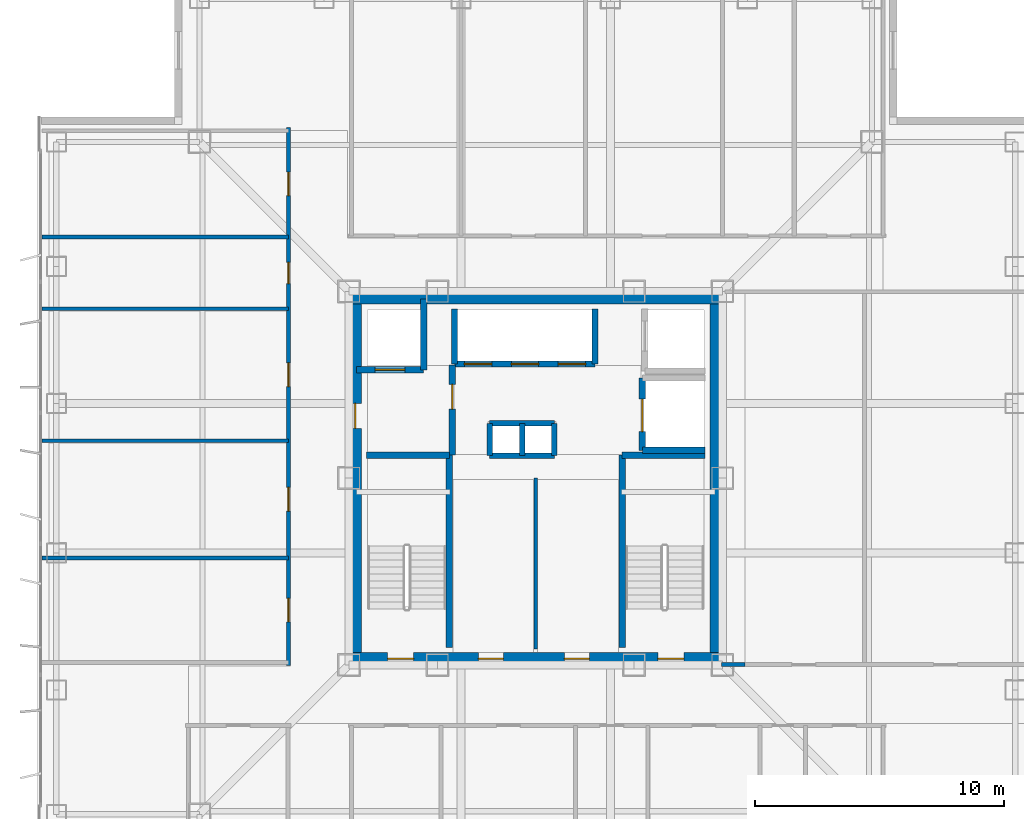
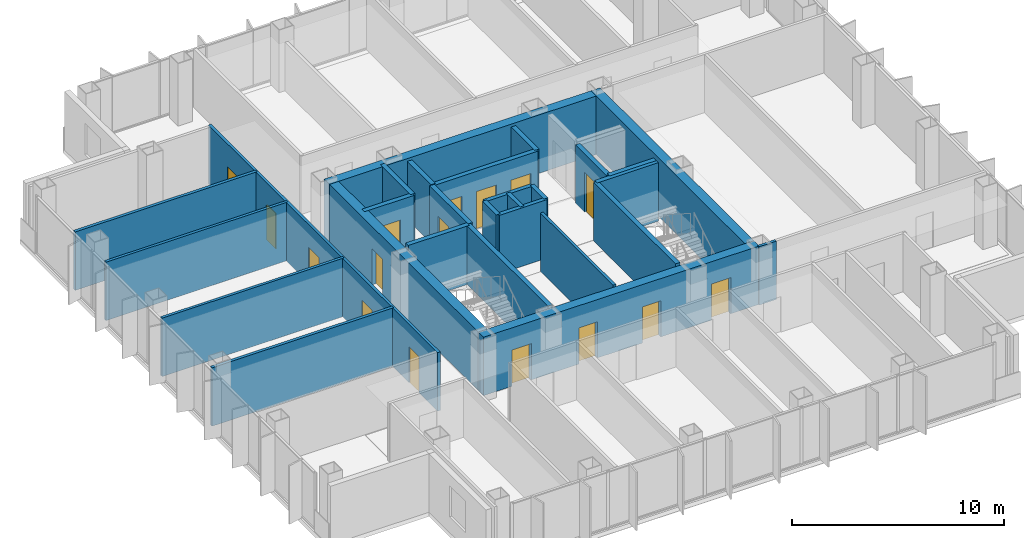
# One storey, part 11 of 18: 28 walls, 16 doors, 16 openings.
"""IFC4 building model written with IfcOpenShell, lengths in metres."""

from ifc_helpers import new_model, si_unit, direction, frame, frame_2d, origin, place, context, subcontext, project, spatial, rectangle, extrude, material, layer, layer_set, type_object, element, fill, save


model = new_model("IFC4")

# Units and contexts
model_context = context("Model", 3, precision=1e-05, world=origin(), true_north=direction((0.0, 1.0)))
body_context = subcontext(model_context, "Body", "Model", "MODEL_VIEW")
ifc_project = project(units=[si_unit("LENGTHUNIT", "METRE"), si_unit("AREAUNIT", "SQUARE_METRE"), si_unit("VOLUMEUNIT", "CUBIC_METRE"), si_unit("PLANEANGLEUNIT", "RADIAN"), si_unit("MASSUNIT", "GRAM", prefix="KILO")], contexts=[model_context])

# Site, building, storey
site_placement = place(None, origin())
site = spatial("IfcSite", under=ifc_project, at=site_placement, CompositionType="ELEMENT")
building_placement = place(site_placement, origin())
building = spatial("IfcBuilding", under=site, at=building_placement, Name="Trevonay Congress Spire", CompositionType="ELEMENT")
storey_placement = place(building_placement, frame((0.0, 0.0, 173.39990234375)))
storey = spatial("IfcBuildingStorey", under=building, at=storey_placement, Name="L44", CompositionType="ELEMENT", Elevation=173.39990234375)

# Wall, openings, doors
ifc_material_1 = material(Name="Concrete C50/60", Category="concrete")
ifc_layer_1 = layer(ifc_material_1, 0.5, Name="Concrete C50/60")
ifc_layer_set_1 = layer_set([ifc_layer_1], Name="Concrete C50/60")
wall_type_1 = type_object("IfcWallType", Name="WAL-CORE-500", PredefinedType="SHEAR", material=ifc_layer_set_1)
wall_1_placement = place(storey_placement, frame((-7.5, -7.25, 0.0), z_axis=(0.0, 0.0, 1.0), x_axis=(1.0, 0.0, 0.0)))
wall_1 = element("IfcWall", 1, at=wall_1_placement, inside=storey, type_object=wall_type_1, Name="L44 South structural core shear wall", PredefinedType="SHEAR", context=body_context, shape_type="SweptSolid", body=[
    extrude(rectangle(XDim=15.0, YDim=0.5, at=frame_2d((7.5, 0.0))), origin(), (0.0, 0.0, 1.0), 3.360107421875),
])
opening_1_placement = place(wall_1_placement, frame((1.550048828125, 0.0, 0.0)))
opening_1 = element("IfcOpeningElement", 2, at=opening_1_placement, cuts=wall_1, Name="Opening D05", PredefinedType="OPENING", context=body_context, shape_type="SweptSolid", body=[
    extrude(rectangle(XDim=1.050048828125, YDim=2.080078125, at=frame_2d((0.52490234375, 1.0400390625))), frame((0.0, 0.260009765625, 0.0), z_axis=(0.0, -1.0, 0.0), x_axis=(1.0, 0.0, 0.0)), (0.0, 0.0, 1.0), 0.52001953125),
])
opening_2_placement = place(wall_1_placement, frame((12.39990234375, 0.0, 0.0)))
opening_2 = element("IfcOpeningElement", 3, at=opening_2_placement, cuts=wall_1, Name="Opening D05", PredefinedType="OPENING", context=body_context, shape_type="SweptSolid", body=[
    extrude(rectangle(XDim=1.050048828125, YDim=2.080078125, at=frame_2d((0.52490234375, 1.0400390625))), frame((0.0, 0.260009765625, 0.0), z_axis=(0.0, -1.0, 0.0), x_axis=(1.0, 0.0, 0.0)), (0.0, 0.0, 1.0), 0.52001953125),
])
opening_3_placement = place(wall_1_placement, frame((5.199951171875, 0.0, 0.0)))
opening_3 = element("IfcOpeningElement", 4, at=opening_3_placement, cuts=wall_1, Name="Opening D06", PredefinedType="OPENING", context=body_context, shape_type="SweptSolid", body=[
    extrude(rectangle(XDim=1.0, YDim=2.080078125, at=frame_2d((0.5, 1.0400390625))), frame((0.0, 0.260009765625, 0.0), z_axis=(0.0, -1.0, 0.0), x_axis=(1.0, 0.0, 0.0)), (0.0, 0.0, 1.0), 0.52001953125),
])
opening_4_placement = place(wall_1_placement, frame((8.64990234375, 0.0, 0.0)))
opening_4 = element("IfcOpeningElement", 5, at=opening_4_placement, cuts=wall_1, Name="Opening D06", PredefinedType="OPENING", context=body_context, shape_type="SweptSolid", body=[
    extrude(rectangle(XDim=1.0, YDim=2.080078125, at=frame_2d((0.5, 1.0400390625))), frame((0.0, 0.260009765625, 0.0), z_axis=(0.0, -1.0, 0.0), x_axis=(1.0, 0.0, 0.0)), (0.0, 0.0, 1.0), 0.52001953125),
])
ifc_material_2 = material(Name="Steel ASTM A572 Grade 50", Category="steel")
door_type_1 = type_object("IfcDoorType", Name="DOR-FIRE-100", OperationType="NOTDEFINED", PredefinedType="DOOR", material=ifc_material_2)
door_1_placement = place(opening_3_placement, origin())
door_1 = element("IfcDoor", 6, at=door_1_placement, inside=storey, type_object=door_type_1, Name="L44 South Core Room 1 Door", OperationType="SINGLE_SWING_LEFT", OverallHeight=2.080078125, OverallWidth=1.0, PredefinedType="DOOR", context=body_context, shape_type="SweptSolid", body=[
    extrude(rectangle(XDim=1.0, YDim=2.080078125, at=frame_2d((0.5, 1.0400390625))), frame((0.0, 0.02490234375, 0.0), z_axis=(0.0, -1.0, 0.0), x_axis=(1.0, 0.0, 0.0)), (0.0, 0.0, 1.0), 0.050048828125),
])
fill(opening_3, door_1)
door_2_placement = place(opening_4_placement, origin())
door_2 = element("IfcDoor", 7, at=door_2_placement, inside=storey, type_object=door_type_1, Name="L44 South Core Room 2 Door", OperationType="SINGLE_SWING_RIGHT", OverallHeight=2.080078125, OverallWidth=1.0, PredefinedType="DOOR", context=body_context, shape_type="SweptSolid", body=[
    extrude(rectangle(XDim=1.0, YDim=2.080078125, at=frame_2d((0.5, 1.0400390625))), frame((0.0, 0.02490234375, 0.0), z_axis=(0.0, -1.0, 0.0), x_axis=(1.0, 0.0, 0.0)), (0.0, 0.0, 1.0), 0.050048828125),
])
fill(opening_4, door_2)
door_type_2 = type_object("IfcDoorType", Name="DOR-STAIR-110", OperationType="NOTDEFINED", PredefinedType="DOOR", material=ifc_material_2)
door_3_placement = place(opening_1_placement, origin())
door_3 = element("IfcDoor", 8, at=door_3_placement, inside=storey, type_object=door_type_2, Name="L44 Protected Stair ST-1 Door", OperationType="SINGLE_SWING_RIGHT", OverallHeight=2.080078125, OverallWidth=1.050048828125, PredefinedType="DOOR", context=body_context, shape_type="SweptSolid", body=[
    extrude(rectangle(XDim=1.050048828125, YDim=2.080078125, at=frame_2d((0.52490234375, 1.0400390625))), frame((0.0, 0.02490234375, 0.0), z_axis=(0.0, -1.0, 0.0), x_axis=(1.0, 0.0, 0.0)), (0.0, 0.0, 1.0), 0.050048828125),
])
fill(opening_1, door_3)
door_4_placement = place(opening_2_placement, origin())
door_4 = element("IfcDoor", 9, at=door_4_placement, inside=storey, type_object=door_type_2, Name="L44 Protected Stair ST-2 Door", OperationType="SINGLE_SWING_LEFT", OverallHeight=2.080078125, OverallWidth=1.050048828125, PredefinedType="DOOR", context=body_context, shape_type="SweptSolid", body=[
    extrude(rectangle(XDim=1.050048828125, YDim=2.080078125, at=frame_2d((0.52490234375, 1.0400390625))), frame((0.0, 0.02490234375, 0.0), z_axis=(0.0, -1.0, 0.0), x_axis=(1.0, 0.0, 0.0)), (0.0, 0.0, 1.0), 0.050048828125),
])
fill(opening_2, door_4)

# Wall
wall_2_placement = place(storey_placement, frame((-7.5, 7.25, 0.0), z_axis=(0.0, 0.0, 1.0), x_axis=(1.0, 0.0, 0.0)))
element("IfcWall", 10, at=wall_2_placement, inside=storey, type_object=wall_type_1, Name="L44 North structural core shear wall", PredefinedType="SHEAR", context=body_context, shape_type="SweptSolid", body=[
    extrude(rectangle(XDim=15.0, YDim=0.5, at=frame_2d((7.5, 0.0))), origin(), (0.0, 0.0, 1.0), 3.360107421875),
])

# Wall, opening, door
wall_3_placement = place(storey_placement, frame((-7.25, -7.5, 0.0), z_axis=(0.0, 0.0, 1.0), x_axis=(0.0, 1.0, 0.0)))
wall_3 = element("IfcWall", 11, at=wall_3_placement, inside=storey, type_object=wall_type_1, Name="L44 West structural core shear wall", PredefinedType="SHEAR", context=body_context, shape_type="SweptSolid", body=[
    extrude(rectangle(XDim=15.0, YDim=0.5, at=frame_2d((7.5, 0.0))), origin(), (0.0, 0.0, 1.0), 3.360107421875),
])
opening_5_placement = place(wall_3_placement, frame((9.5, 0.0, 0.0)))
opening_5 = element("IfcOpeningElement", 12, at=opening_5_placement, cuts=wall_3, Name="Opening D06", PredefinedType="OPENING", context=body_context, shape_type="SweptSolid", body=[
    extrude(rectangle(XDim=1.0, YDim=2.080078125, at=frame_2d((0.5, 1.0400390625))), frame((0.0, 0.260009765625, 0.0), z_axis=(0.0, -1.0, 0.0), x_axis=(1.0, 0.0, 0.0)), (0.0, 0.0, 1.0), 0.52001953125),
])
door_5_placement = place(opening_5_placement, origin())
door_5 = element("IfcDoor", 13, at=door_5_placement, inside=storey, type_object=door_type_1, Name="L44 Firefighting Lift Lobby West Corridor Door", OperationType="SINGLE_SWING_RIGHT", OverallHeight=2.080078125, OverallWidth=1.0, PredefinedType="DOOR", context=body_context, shape_type="SweptSolid", body=[
    extrude(rectangle(XDim=1.0, YDim=2.080078125, at=frame_2d((0.5, 1.0400390625))), frame((0.0, 0.02490234375, 0.0), z_axis=(0.0, -1.0, 0.0), x_axis=(1.0, 0.0, 0.0)), (0.0, 0.0, 1.0), 0.050048828125),
])
fill(opening_5, door_5)

# Wall
wall_4_placement = place(storey_placement, frame((7.25, -7.5, 0.0), z_axis=(0.0, 0.0, 1.0), x_axis=(0.0, 1.0, 0.0)))
element("IfcWall", 14, at=wall_4_placement, inside=storey, type_object=wall_type_1, Name="L44 East structural core shear wall", PredefinedType="SHEAR", context=body_context, shape_type="SweptSolid", body=[
    extrude(rectangle(XDim=15.0, YDim=0.5, at=frame_2d((7.5, 0.0))), origin(), (0.0, 0.0, 1.0), 3.360107421875),
])

# Wall, openings, doors
ifc_material_3 = material(Name="Concrete C40/50", Category="concrete")
ifc_layer_2 = layer(ifc_material_3, 0.14990234375, Name="Concrete C40/50")
ifc_layer_set_2 = layer_set([ifc_layer_2], Name="Concrete C40/50")
wall_type_2 = type_object("IfcWallType", Name="WAL-CORR-150", PredefinedType="PARTITIONING", material=ifc_layer_set_2)
wall_5_placement = place(storey_placement, frame((-9.929931640625, -7.52001953125, 0.0), z_axis=(0.0, 0.0, 1.0), x_axis=(0.0, 1.0, 0.0)))
wall_5 = element("IfcWall", 15, at=wall_5_placement, inside=storey, type_object=wall_type_2, Name="L44 interior wall WP-L44NW-COR", PredefinedType="PARTITIONING", context=body_context, shape_type="SweptSolid", body=[
    extrude(rectangle(XDim=21.590087890625, YDim=0.14990234375, at=frame_2d((10.794921875, 0.0))), origin(), (0.0, 0.0, 1.0), 3.360107421875),
])
opening_6_placement = place(wall_5_placement, frame((1.7451171875, 0.0, 0.0)))
opening_6 = element("IfcOpeningElement", 16, at=opening_6_placement, cuts=wall_5, Name="Opening D07", PredefinedType="OPENING", context=body_context, shape_type="SweptSolid", body=[
    extrude(rectangle(XDim=0.949951171875, YDim=2.06005859375, at=frame_2d((0.47509765625, 1.030029296875))), frame((0.0, 0.0849609375, 0.0), z_axis=(0.0, -1.0, 0.0), x_axis=(1.0, 0.0, 0.0)), (0.0, 0.0, 1.0), 0.169921875),
])
opening_7_placement = place(wall_5_placement, frame((6.195068359375, 0.0, 0.0)))
opening_7 = element("IfcOpeningElement", 17, at=opening_7_placement, cuts=wall_5, Name="Opening D07", PredefinedType="OPENING", context=body_context, shape_type="SweptSolid", body=[
    extrude(rectangle(XDim=0.949951171875, YDim=2.06005859375, at=frame_2d((0.47509765625, 1.030029296875))), frame((0.0, 0.0849609375, 0.0), z_axis=(0.0, -1.0, 0.0), x_axis=(1.0, 0.0, 0.0)), (0.0, 0.0, 1.0), 0.169921875),
])
opening_8_placement = place(wall_5_placement, frame((11.195068359375, 0.0, 0.0)))
opening_8 = element("IfcOpeningElement", 18, at=opening_8_placement, cuts=wall_5, Name="Opening D07", PredefinedType="OPENING", context=body_context, shape_type="SweptSolid", body=[
    extrude(rectangle(XDim=0.949951171875, YDim=2.06005859375, at=frame_2d((0.47509765625, 1.030029296875))), frame((0.0, 0.0849609375, 0.0), z_axis=(0.0, -1.0, 0.0), x_axis=(1.0, 0.0, 0.0)), (0.0, 0.0, 1.0), 0.169921875),
])
opening_9_placement = place(wall_5_placement, frame((15.3349609375, 0.0, 0.0)))
opening_9 = element("IfcOpeningElement", 19, at=opening_9_placement, cuts=wall_5, Name="Opening D10", PredefinedType="OPENING", context=body_context, shape_type="SweptSolid", body=[
    extrude(rectangle(XDim=0.85009765625, YDim=2.050048828125, at=frame_2d((0.425048828125, 1.02490234375))), frame((0.0, 0.0849609375, 0.0), z_axis=(0.0, -1.0, 0.0), x_axis=(1.0, 0.0, 0.0)), (0.0, 0.0, 1.0), 0.169921875),
])
opening_10_placement = place(wall_5_placement, frame((18.860107421875, 0.0, 0.0)))
opening_10 = element("IfcOpeningElement", 20, at=opening_10_placement, cuts=wall_5, Name="Opening D07", PredefinedType="OPENING", context=body_context, shape_type="SweptSolid", body=[
    extrude(rectangle(XDim=0.949951171875, YDim=2.06005859375, at=frame_2d((0.47509765625, 1.030029296875))), frame((0.0, 0.0849609375, 0.0), z_axis=(0.0, -1.0, 0.0), x_axis=(1.0, 0.0, 0.0)), (0.0, 0.0, 1.0), 0.169921875),
])
ifc_material_4 = material(Name="Pale Anodised Aluminium EN AW-6063-T6", Category="aluminium")
door_type_3 = type_object("IfcDoorType", Name="DOR-OFFICE-95", OperationType="NOTDEFINED", PredefinedType="DOOR", material=ifc_material_4)
door_6_placement = place(opening_6_placement, origin())
door_6 = element("IfcDoor", 21, at=door_6_placement, inside=storey, type_object=door_type_3, Name="L44 Charterparty Office 5 Door", OperationType="SINGLE_SWING_LEFT", OverallHeight=2.06005859375, OverallWidth=0.949951171875, PredefinedType="DOOR", context=body_context, shape_type="SweptSolid", body=[
    extrude(rectangle(XDim=0.949951171875, YDim=2.06005859375, at=frame_2d((0.47509765625, 1.030029296875))), frame((0.0, 0.02490234375, 0.0), z_axis=(0.0, -1.0, 0.0), x_axis=(1.0, 0.0, 0.0)), (0.0, 0.0, 1.0), 0.050048828125),
])
fill(opening_6, door_6)
door_7_placement = place(opening_7_placement, origin())
door_7 = element("IfcDoor", 22, at=door_7_placement, inside=storey, type_object=door_type_3, Name="L44 Claims Office 6 Door", OperationType="SINGLE_SWING_RIGHT", OverallHeight=2.06005859375, OverallWidth=0.949951171875, PredefinedType="DOOR", context=body_context, shape_type="SweptSolid", body=[
    extrude(rectangle(XDim=0.949951171875, YDim=2.06005859375, at=frame_2d((0.47509765625, 1.030029296875))), frame((0.0, 0.02490234375, 0.0), z_axis=(0.0, -1.0, 0.0), x_axis=(1.0, 0.0, 0.0)), (0.0, 0.0, 1.0), 0.050048828125),
])
fill(opening_7, door_7)
door_8_placement = place(opening_8_placement, origin())
door_8 = element("IfcDoor", 23, at=door_8_placement, inside=storey, type_object=door_type_3, Name="L44 Registry Office 7 Door", OperationType="SINGLE_SWING_LEFT", OverallHeight=2.06005859375, OverallWidth=0.949951171875, PredefinedType="DOOR", context=body_context, shape_type="SweptSolid", body=[
    extrude(rectangle(XDim=0.949951171875, YDim=2.06005859375, at=frame_2d((0.47509765625, 1.030029296875))), frame((0.0, 0.02490234375, 0.0), z_axis=(0.0, -1.0, 0.0), x_axis=(1.0, 0.0, 0.0)), (0.0, 0.0, 1.0), 0.050048828125),
])
fill(opening_8, door_8)
door_9_placement = place(opening_10_placement, origin())
door_9 = element("IfcDoor", 24, at=door_9_placement, inside=storey, type_object=door_type_3, Name="L44 Floor Supplies and Copy Room Door", OperationType="SINGLE_SWING_LEFT", OverallHeight=2.06005859375, OverallWidth=0.949951171875, PredefinedType="DOOR", context=body_context, shape_type="SweptSolid", body=[
    extrude(rectangle(XDim=0.949951171875, YDim=2.06005859375, at=frame_2d((0.47509765625, 1.030029296875))), frame((0.0, 0.02490234375, 0.0), z_axis=(0.0, -1.0, 0.0), x_axis=(1.0, 0.0, 0.0)), (0.0, 0.0, 1.0), 0.050048828125),
])
fill(opening_10, door_9)
door_type_4 = type_object("IfcDoorType", Name="DOR-WC-85", OperationType="NOTDEFINED", PredefinedType="DOOR", material=ifc_material_4)
door_10_placement = place(opening_9_placement, origin())
door_10 = element("IfcDoor", 25, at=door_10_placement, inside=storey, type_object=door_type_4, Name="L44 Male Restroom WC Door", OperationType="SINGLE_SWING_RIGHT", OverallHeight=2.050048828125, OverallWidth=0.85009765625, PredefinedType="DOOR", context=body_context, shape_type="SweptSolid", body=[
    extrude(rectangle(XDim=0.85009765625, YDim=2.050048828125, at=frame_2d((0.425048828125, 1.02490234375))), frame((0.0, 0.02490234375, 0.0), z_axis=(0.0, -1.0, 0.0), x_axis=(1.0, 0.0, 0.0)), (0.0, 0.0, 1.0), 0.050048828125),
])
fill(opening_9, door_10)

# Walls
wall_6_placement = place(storey_placement, frame((7.449951171875, -7.47998046875, 0.0), z_axis=(0.0, 0.0, 1.0), x_axis=(1.0, 0.0, 0.0)))
element("IfcWall", 26, at=wall_6_placement, inside=storey, type_object=wall_type_2, Name="L44 interior wall WP-L44E-STUB", PredefinedType="PARTITIONING", context=body_context, shape_type="SweptSolid", body=[
    extrude(rectangle(XDim=0.949951171875, YDim=0.14990234375, at=frame_2d((0.47509765625, 0.0))), origin(), (0.0, 0.0, 1.0), 3.360107421875),
])
ifc_layer_3 = layer(ifc_material_3, 0.14990234375, Name="Concrete C40/50")
ifc_layer_set_3 = layer_set([ifc_layer_3], Name="Concrete C40/50")
wall_type_3 = type_object("IfcWallType", Name="WAL-PART-150", PredefinedType="PARTITIONING", material=ifc_layer_set_3)
wall_7_placement = place(storey_placement, frame((0.0, -6.85009765625, 0.0), z_axis=(0.0, 0.0, 1.0), x_axis=(0.0, 1.0, 0.0)))
element("IfcWall", 27, at=wall_7_placement, inside=storey, type_object=wall_type_3, Name="L44 interior wall CW-F0-L44", PredefinedType="PARTITIONING", context=body_context, shape_type="SweptSolid", body=[
    extrude(rectangle(XDim=6.85009765625, YDim=0.14990234375, at=frame_2d((3.425048828125, 0.0))), origin(), (0.0, 0.0, 1.0), 3.360107421875),
])
for number, where, z_axis, x_axis, name in (
    (28, (-19.820068359375, 1.5, 0.0), (0.0, 0.0, 1.0), (1.0, 0.0, 0.0), "L44 interior wall WP-L44NW-DIV3"),
    (29, (-19.820068359375, 6.800048828125, 0.0), (0.0, 0.0, 1.0), (1.0, 0.0, 0.0), "L44 interior wall WP-L44NW-DIV4"),
):
    element("IfcWall", number, at=place(storey_placement, frame(where, z_axis=z_axis, x_axis=x_axis)), inside=storey, type_object=wall_type_3, Name=name, PredefinedType="PARTITIONING", context=body_context, shape_type="SweptSolid", body=[
        extrude(rectangle(XDim=9.89013671875, YDim=0.14990234375, at=frame_2d((4.945068359375, 0.0))), origin(), (0.0, 0.0, 1.0), 3.360107421875),
    ])
ifc_layer_4 = layer(ifc_material_3, 0.219970703125, Name="Concrete C40/50")
ifc_layer_set_4 = layer_set([ifc_layer_4], Name="Concrete C40/50")
wall_type_4 = type_object("IfcWallType", Name="WAL-SHAFT-220", PredefinedType="PARTITIONING", material=ifc_layer_set_4)
for number, where, z_axis, x_axis, name in (
    (30, (-1.85009765625, 2.199951171875, 0.0), (0.0, 0.0, 1.0), (1.0, 0.0, 0.0), "L44 interior shaft wall WSH-L44-RSR-N"),
    (31, (-1.85009765625, 0.89990234375, 0.0), (0.0, 0.0, 1.0), (1.0, 0.0, 0.0), "L44 interior shaft wall WSH-L44-RSR-S"),
):
    element("IfcWall", number, at=place(storey_placement, frame(where, z_axis=z_axis, x_axis=x_axis)), inside=storey, type_object=wall_type_4, Name=name, PredefinedType="PARTITIONING", context=body_context, shape_type="SweptSolid", body=[
        extrude(rectangle(XDim=2.60009765625, YDim=0.219970703125, at=frame_2d((1.300048828125, 0.0))), origin(), (0.0, 0.0, 1.0), 3.360107421875),
    ])
for number, where, z_axis, x_axis, name in (
    (32, (-0.550048828125, 0.89990234375, 0.0), (0.0, 0.0, 1.0), (0.0, 1.0, 0.0), "L44 interior shaft wall WSH-L44-RSR-M"),
    (33, (0.75, 0.89990234375, 0.0), (0.0, 0.0, 1.0), (0.0, 1.0, 0.0), "L44 interior shaft wall WSH-L44-RSR-E"),
    (34, (-1.85009765625, 0.89990234375, 0.0), (0.0, 0.0, 1.0), (0.0, 1.0, 0.0), "L44 interior shaft wall WSH-L44-RSR-W"),
):
    element("IfcWall", number, at=place(storey_placement, frame(where, z_axis=z_axis, x_axis=x_axis)), inside=storey, type_object=wall_type_4, Name=name, PredefinedType="PARTITIONING", context=body_context, shape_type="SweptSolid", body=[
        extrude(rectangle(XDim=1.300048828125, YDim=0.219970703125, at=frame_2d((0.64990234375, 0.0))), origin(), (0.0, 0.0, 1.0), 3.360107421875),
    ])

# Wall, openings, doors
ifc_layer_5 = layer(ifc_material_3, 0.25, Name="Concrete C40/50")
ifc_layer_set_5 = layer_set([ifc_layer_5], Name="Concrete C40/50")
wall_type_5 = type_object("IfcWallType", Name="WAL-SHAFT-250", PredefinedType="SHEAR", material=ifc_layer_set_5)
wall_8_placement = place(storey_placement, frame((-3.260009765625, 4.580078125, 0.0), z_axis=(0.0, 0.0, 1.0), x_axis=(1.0, 0.0, 0.0)))
wall_8 = element("IfcWall", 35, at=wall_8_placement, inside=storey, type_object=wall_type_5, Name="L44 interior shaft wall WSH-L44-B3-S", PredefinedType="SHEAR", context=body_context, shape_type="SweptSolid", body=[
    extrude(rectangle(XDim=5.639892578125, YDim=0.25, at=frame_2d((2.81982421875, 0.0))), origin(), (0.0, 0.0, 1.0), 3.360107421875),
])
opening_11_placement = place(wall_8_placement, frame((0.39990234375, 0.0, 0.0)))
opening_11 = element("IfcOpeningElement", 36, at=opening_11_placement, cuts=wall_8, Name="Opening LD03", PredefinedType="OPENING", context=body_context, shape_type="SweptSolid", body=[
    extrude(rectangle(XDim=1.10009765625, YDim=2.199951171875, at=frame_2d((0.550048828125, 1.10009765625))), frame((0.0, 0.135009765625, 0.0), z_axis=(0.0, -1.0, 0.0), x_axis=(1.0, 0.0, 0.0)), (0.0, 0.0, 1.0), 0.27001953125),
])
opening_12_placement = place(wall_8_placement, frame((2.280029296875, 0.0, 0.0)))
opening_12 = element("IfcOpeningElement", 37, at=opening_12_placement, cuts=wall_8, Name="Opening LD03", PredefinedType="OPENING", context=body_context, shape_type="SweptSolid", body=[
    extrude(rectangle(XDim=1.10009765625, YDim=2.199951171875, at=frame_2d((0.550048828125, 1.10009765625))), frame((0.0, 0.135009765625, 0.0), z_axis=(0.0, -1.0, 0.0), x_axis=(1.0, 0.0, 0.0)), (0.0, 0.0, 1.0), 0.27001953125),
])
opening_13_placement = place(wall_8_placement, frame((4.159912109375, 0.0, 0.0)))
opening_13 = element("IfcOpeningElement", 38, at=opening_13_placement, cuts=wall_8, Name="Opening LD03", PredefinedType="OPENING", context=body_context, shape_type="SweptSolid", body=[
    extrude(rectangle(XDim=1.10009765625, YDim=2.199951171875, at=frame_2d((0.550048828125, 1.10009765625))), frame((0.0, 0.135009765625, 0.0), z_axis=(0.0, -1.0, 0.0), x_axis=(1.0, 0.0, 0.0)), (0.0, 0.0, 1.0), 0.27001953125),
])
door_type_5 = type_object("IfcDoorType", Name="DOR-LIFT-LD03", OperationType="DOUBLE_DOOR_SLIDING", PredefinedType="DOOR", material=ifc_material_4)
door_11_placement = place(opening_11_placement, origin())
door_11 = element("IfcDoor", 39, at=door_11_placement, inside=storey, type_object=door_type_5, Name="L44 Passenger lift PL-07 landing door", OperationType="DOUBLE_DOOR_SLIDING", OverallHeight=2.199951171875, OverallWidth=1.10009765625, PredefinedType="DOOR", context=body_context, shape_type="SweptSolid", body=[
    extrude(rectangle(XDim=1.10009765625, YDim=2.199951171875, at=frame_2d((0.550048828125, 1.10009765625))), frame((0.0, 0.02490234375, 0.0), z_axis=(0.0, -1.0, 0.0), x_axis=(1.0, 0.0, 0.0)), (0.0, 0.0, 1.0), 0.050048828125),
])
fill(opening_11, door_11)
door_12_placement = place(opening_12_placement, origin())
door_12 = element("IfcDoor", 40, at=door_12_placement, inside=storey, type_object=door_type_5, Name="L44 Passenger lift PL-08 landing door", OperationType="DOUBLE_DOOR_SLIDING", OverallHeight=2.199951171875, OverallWidth=1.10009765625, PredefinedType="DOOR", context=body_context, shape_type="SweptSolid", body=[
    extrude(rectangle(XDim=1.10009765625, YDim=2.199951171875, at=frame_2d((0.550048828125, 1.10009765625))), frame((0.0, 0.02490234375, 0.0), z_axis=(0.0, -1.0, 0.0), x_axis=(1.0, 0.0, 0.0)), (0.0, 0.0, 1.0), 0.050048828125),
])
fill(opening_12, door_12)
door_13_placement = place(opening_13_placement, origin())
door_13 = element("IfcDoor", 41, at=door_13_placement, inside=storey, type_object=door_type_5, Name="L44 Passenger lift PL-09 landing door", OperationType="DOUBLE_DOOR_SLIDING", OverallHeight=2.199951171875, OverallWidth=1.10009765625, PredefinedType="DOOR", context=body_context, shape_type="SweptSolid", body=[
    extrude(rectangle(XDim=1.10009765625, YDim=2.199951171875, at=frame_2d((0.550048828125, 1.10009765625))), frame((0.0, 0.02490234375, 0.0), z_axis=(0.0, -1.0, 0.0), x_axis=(1.0, 0.0, 0.0)), (0.0, 0.0, 1.0), 0.050048828125),
])
fill(opening_13, door_13)

# Walls
for number, where, z_axis, x_axis, name in (
    (42, (-3.260009765625, 4.580078125, 0.0), (0.0, 0.0, 1.0), (0.0, 1.0, 0.0), "L44 interior shaft wall WSH-L44-B3-W"),
    (43, (2.3798828125, 4.580078125, 0.0), (0.0, 0.0, 1.0), (0.0, 1.0, 0.0), "L44 interior shaft wall WSH-L44-B3-E"),
):
    element("IfcWall", number, at=place(storey_placement, frame(where, z_axis=z_axis, x_axis=x_axis)), inside=storey, type_object=wall_type_5, Name=name, PredefinedType="SHEAR", context=body_context, shape_type="SweptSolid", body=[
        extrude(rectangle(XDim=2.219970703125, YDim=0.25, at=frame_2d((1.10986328125, 0.0))), origin(), (0.0, 0.0, 1.0), 3.360107421875),
    ])

# Wall, opening, door
wall_9_placement = place(storey_placement, frame((-7.199951171875, 4.35009765625, 0.0), z_axis=(0.0, 0.0, 1.0), x_axis=(1.0, 0.0, 0.0)))
wall_9 = element("IfcWall", 44, at=wall_9_placement, inside=storey, type_object=wall_type_5, Name="L44 interior shaft wall WSH-L44-FF1-S", PredefinedType="SHEAR", context=body_context, shape_type="SweptSolid", body=[
    extrude(rectangle(XDim=2.699951171875, YDim=0.25, at=frame_2d((1.35009765625, 0.0))), origin(), (0.0, 0.0, 1.0), 3.360107421875),
])
opening_14_placement = place(wall_9_placement, frame((0.75, 0.0, 0.0)))
opening_14 = element("IfcOpeningElement", 45, at=opening_14_placement, cuts=wall_9, Name="Opening LD04", PredefinedType="OPENING", context=body_context, shape_type="SweptSolid", body=[
    extrude(rectangle(XDim=1.199951171875, YDim=2.199951171875, at=frame_2d((0.60009765625, 1.10009765625))), frame((0.0, 0.135009765625, 0.0), z_axis=(0.0, -1.0, 0.0), x_axis=(1.0, 0.0, 0.0)), (0.0, 0.0, 1.0), 0.27001953125),
])
door_type_6 = type_object("IfcDoorType", Name="DOR-LIFT-LD04", OperationType="DOUBLE_DOOR_SLIDING", PredefinedType="DOOR", material=ifc_material_2)
door_14_placement = place(opening_14_placement, origin())
door_14 = element("IfcDoor", 46, at=door_14_placement, inside=storey, type_object=door_type_6, Name="L44 Firefighting lift FFL-01 landing door", OperationType="DOUBLE_DOOR_SLIDING", OverallHeight=2.199951171875, OverallWidth=1.199951171875, PredefinedType="DOOR", context=body_context, shape_type="SweptSolid", body=[
    extrude(rectangle(XDim=1.199951171875, YDim=2.199951171875, at=frame_2d((0.60009765625, 1.10009765625))), frame((0.0, 0.02490234375, 0.0), z_axis=(0.0, -1.0, 0.0), x_axis=(1.0, 0.0, 0.0)), (0.0, 0.0, 1.0), 0.050048828125),
])
fill(opening_14, door_14)

# Wall
wall_10_placement = place(storey_placement, frame((-4.5, 4.35009765625, 0.0), z_axis=(0.0, 0.0, 1.0), x_axis=(0.0, 1.0, 0.0)))
element("IfcWall", 47, at=wall_10_placement, inside=storey, type_object=wall_type_5, Name="L44 interior shaft wall WSH-L44-FF1-E", PredefinedType="SHEAR", context=body_context, shape_type="SweptSolid", body=[
    extrude(rectangle(XDim=2.849853515625, YDim=0.25, at=frame_2d((1.4248046875, 0.0))), origin(), (0.0, 0.0, 1.0), 3.360107421875),
])

# Wall, opening, door
wall_11_placement = place(storey_placement, frame((4.280029296875, 1.1201171875, 0.0), z_axis=(0.0, 0.0, 1.0), x_axis=(0.0, 1.0, 0.0)))
wall_11 = element("IfcWall", 48, at=wall_11_placement, inside=storey, type_object=wall_type_5, Name="L44 interior shaft wall WSH-L44-SV-W", PredefinedType="SHEAR", context=body_context, shape_type="SweptSolid", body=[
    extrude(rectangle(XDim=2.89990234375, YDim=0.25, at=frame_2d((1.449951171875, 0.0))), origin(), (0.0, 0.0, 1.0), 3.360107421875),
])
opening_15_placement = place(wall_11_placement, frame((0.75, 0.0, 0.0)))
opening_15 = element("IfcOpeningElement", 49, at=opening_15_placement, cuts=wall_11, Name="Opening LD05", PredefinedType="OPENING", context=body_context, shape_type="SweptSolid", body=[
    extrude(rectangle(XDim=1.300048828125, YDim=2.300048828125, at=frame_2d((0.64990234375, 1.14990234375))), frame((0.0, 0.135009765625, 0.0), z_axis=(0.0, -1.0, 0.0), x_axis=(1.0, 0.0, 0.0)), (0.0, 0.0, 1.0), 0.27001953125),
])
door_type_7 = type_object("IfcDoorType", Name="DOR-LIFT-LD05", OperationType="DOUBLE_DOOR_SLIDING", PredefinedType="DOOR", material=ifc_material_2)
door_15_placement = place(opening_15_placement, origin())
door_15 = element("IfcDoor", 50, at=door_15_placement, inside=storey, type_object=door_type_7, Name="L44 Goods lift SVL-01 landing door", OperationType="DOUBLE_DOOR_SLIDING", OverallHeight=2.300048828125, OverallWidth=1.300048828125, PredefinedType="DOOR", context=body_context, shape_type="SweptSolid", body=[
    extrude(rectangle(XDim=1.300048828125, YDim=2.300048828125, at=frame_2d((0.64990234375, 1.14990234375))), frame((0.0, 0.02490234375, 0.0), z_axis=(0.0, -1.0, 0.0), x_axis=(1.0, 0.0, 0.0)), (0.0, 0.0, 1.0), 0.050048828125),
])
fill(opening_15, door_15)

# Wall
wall_12_placement = place(storey_placement, frame((4.280029296875, 1.1201171875, 0.0), z_axis=(0.0, 0.0, 1.0), x_axis=(1.0, 0.0, 0.0)))
element("IfcWall", 51, at=wall_12_placement, inside=storey, type_object=wall_type_5, Name="L44 interior shaft wall WSH-L44-SV-S", PredefinedType="SHEAR", context=body_context, shape_type="SweptSolid", body=[
    extrude(rectangle(XDim=2.52001953125, YDim=0.25, at=frame_2d((1.260009765625, 0.0))), origin(), (0.0, 0.0, 1.0), 3.360107421875),
])

# Wall, opening, door
wall_13_placement = place(storey_placement, frame((-3.35009765625, 0.919921875, 0.0), z_axis=(0.0, 0.0, 1.0), x_axis=(0.0, 1.0, 0.0)))
wall_13 = element("IfcWall", 52, at=wall_13_placement, inside=storey, type_object=wall_type_5, Name="L44 interior wall CW-FFLW-E-L44", PredefinedType="SHEAR", context=body_context, shape_type="SweptSolid", body=[
    extrude(rectangle(XDim=3.6201171875, YDim=0.25, at=frame_2d((1.81005859375, 0.0))), origin(), (0.0, 0.0, 1.0), 3.360107421875),
])
opening_16_placement = place(wall_13_placement, frame((1.85009765625, 0.0, 0.0)))
opening_16 = element("IfcOpeningElement", 53, at=opening_16_placement, cuts=wall_13, Name="Opening D06", PredefinedType="OPENING", context=body_context, shape_type="SweptSolid", body=[
    extrude(rectangle(XDim=1.0, YDim=2.080078125, at=frame_2d((0.5, 1.0400390625))), frame((0.0, 0.135009765625, 0.0), z_axis=(0.0, -1.0, 0.0), x_axis=(1.0, 0.0, 0.0)), (0.0, 0.0, 1.0), 0.27001953125),
])
door_16_placement = place(opening_16_placement, origin())
door_16 = element("IfcDoor", 54, at=door_16_placement, inside=storey, type_object=door_type_1, Name="L44 Firefighting Core Lobby Transfer Door", OperationType="SINGLE_SWING_LEFT", OverallHeight=2.080078125, OverallWidth=1.0, PredefinedType="DOOR", context=body_context, shape_type="SweptSolid", body=[
    extrude(rectangle(XDim=1.0, YDim=2.080078125, at=frame_2d((0.5, 1.0400390625))), frame((0.0, 0.02490234375, 0.0), z_axis=(0.0, -1.0, 0.0), x_axis=(1.0, 0.0, 0.0)), (0.0, 0.0, 1.0), 0.050048828125),
])
fill(opening_16, door_16)

# Walls
ifc_layer_6 = layer(ifc_material_3, 0.25, Name="Concrete C40/50")
ifc_layer_set_6 = layer_set([ifc_layer_6], Name="Concrete C40/50")
wall_type_6 = type_object("IfcWallType", Name="WAL-SHAFT-LB-250", PredefinedType="SHEAR", material=ifc_layer_set_6)
wall_14_placement = place(storey_placement, frame((-3.469970703125, -6.800048828125, 0.0), z_axis=(0.0, 0.0, 1.0), x_axis=(0.0, 1.0, 0.0)))
element("IfcWall", 55, at=wall_14_placement, inside=storey, type_object=wall_type_6, Name="L44 interior shaft wall WSH-L44-ST1-E", PredefinedType="SHEAR", context=body_context, shape_type="SweptSolid", body=[
    extrude(rectangle(XDim=7.719970703125, YDim=0.25, at=frame_2d((3.85986328125, 0.0))), origin(), (0.0, 0.0, 1.0), 3.360107421875),
])
wall_15_placement = place(storey_placement, frame((-6.800048828125, 0.919921875, 0.0), z_axis=(0.0, 0.0, 1.0), x_axis=(1.0, 0.0, 0.0)))
element("IfcWall", 56, at=wall_15_placement, inside=storey, type_object=wall_type_6, Name="L44 interior shaft wall WSH-L44-ST1-N", PredefinedType="SHEAR", context=body_context, shape_type="SweptSolid", body=[
    extrude(rectangle(XDim=3.330078125, YDim=0.25, at=frame_2d((1.6650390625, 0.0))), origin(), (0.0, 0.0, 1.0), 3.360107421875),
])
wall_16_placement = place(storey_placement, frame((3.469970703125, -6.800048828125, 0.0), z_axis=(0.0, 0.0, 1.0), x_axis=(0.0, 1.0, 0.0)))
element("IfcWall", 57, at=wall_16_placement, inside=storey, type_object=wall_type_6, Name="L44 interior shaft wall WSH-L44-ST2-W", PredefinedType="SHEAR", context=body_context, shape_type="SweptSolid", body=[
    extrude(rectangle(XDim=7.719970703125, YDim=0.25, at=frame_2d((3.85986328125, 0.0))), origin(), (0.0, 0.0, 1.0), 3.360107421875),
])
wall_17_placement = place(storey_placement, frame((3.469970703125, 0.919921875, 0.0), z_axis=(0.0, 0.0, 1.0), x_axis=(1.0, 0.0, 0.0)))
element("IfcWall", 58, at=wall_17_placement, inside=storey, type_object=wall_type_6, Name="L44 interior shaft wall WSH-L44-ST2-N", PredefinedType="SHEAR", context=body_context, shape_type="SweptSolid", body=[
    extrude(rectangle(XDim=3.330078125, YDim=0.25, at=frame_2d((1.6650390625, 0.0))), origin(), (0.0, 0.0, 1.0), 3.360107421875),
])
ifc_layer_7 = layer(ifc_material_3, 0.1650390625, Name="Concrete C40/50")
ifc_layer_set_7 = layer_set([ifc_layer_7], Name="Concrete C40/50")
wall_type_7 = type_object("IfcWallType", Name="WAL-WET-165", PredefinedType="PLUMBINGWALL", material=ifc_layer_set_7)
for number, where, z_axis, x_axis, name in (
    (59, (-19.820068359375, 9.679931640625, 0.0), (0.0, 0.0, 1.0), (1.0, 0.0, 0.0), "L44 interior wall WP-L44NW-WCS4"),
    (60, (-19.820068359375, -3.199951171875, 0.0), (0.0, 0.0, 1.0), (1.0, 0.0, 0.0), "L44 interior wall WP-L44NW-DIV2"),
):
    element("IfcWall", number, at=place(storey_placement, frame(where, z_axis=z_axis, x_axis=x_axis)), inside=storey, type_object=wall_type_7, Name=name, PredefinedType="PLUMBINGWALL", context=body_context, shape_type="SweptSolid", body=[
        extrude(rectangle(XDim=9.89013671875, YDim=0.1650390625, at=frame_2d((4.945068359375, 0.0))), origin(), (0.0, 0.0, 1.0), 3.360107421875),
    ])

save(model, "model.ifc")
